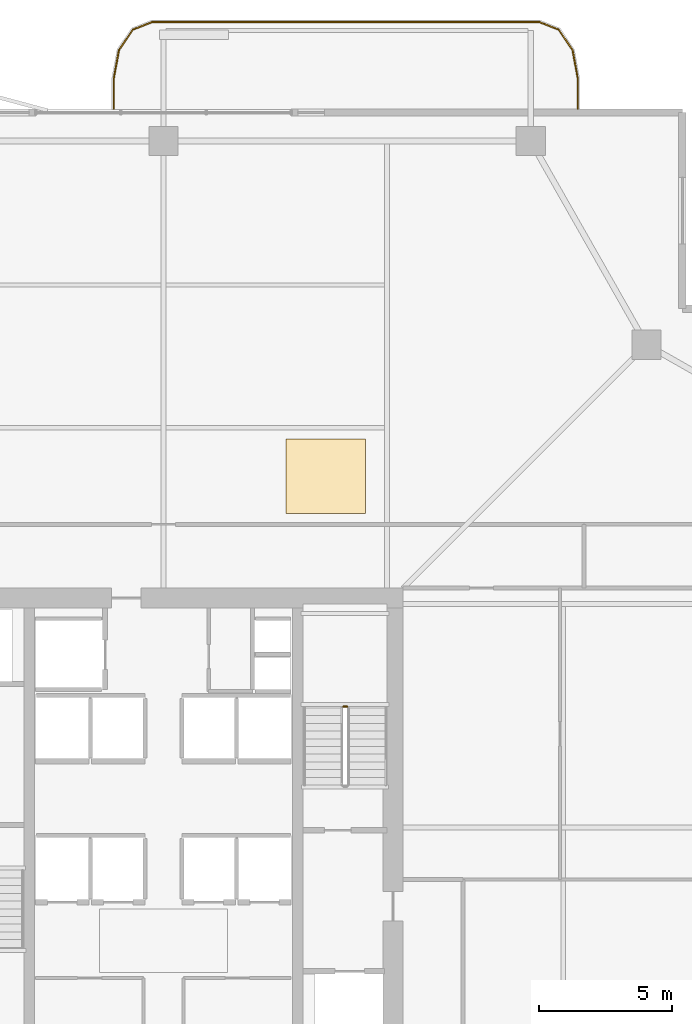
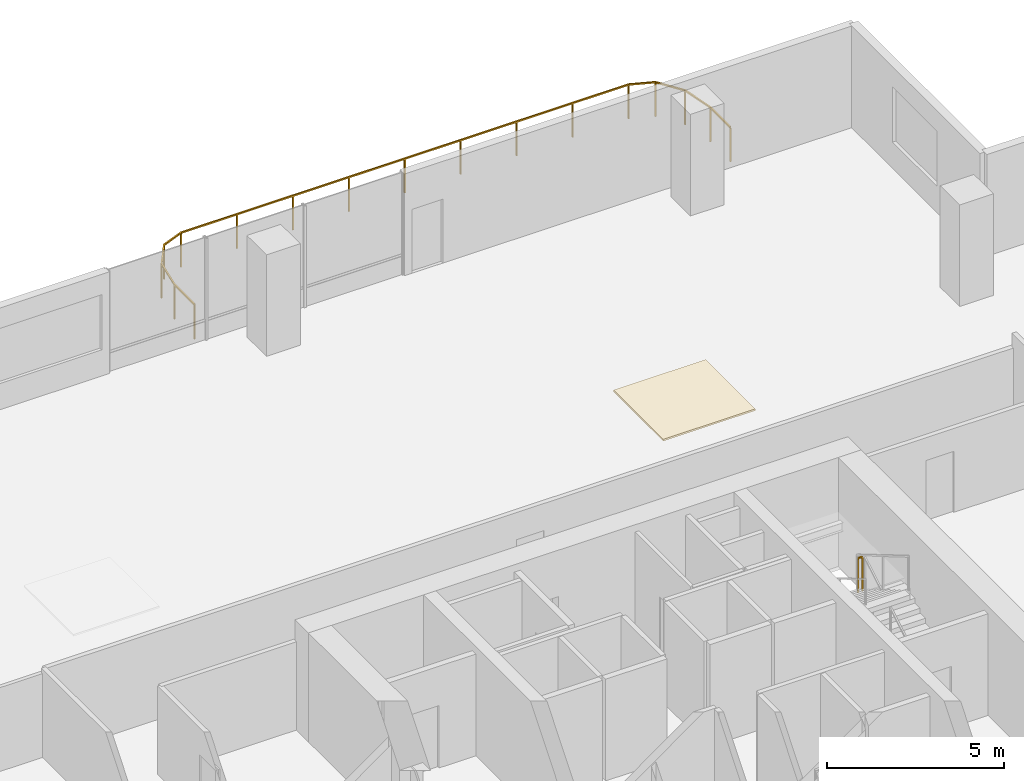
# One storey, part 23 of 23: 2 railings, 1 covering.
"""IFC4 building model written with IfcOpenShell, lengths in metres."""

from ifc_helpers import new_model, si_unit, direction, frame, origin, origin_2d, place, context, subcontext, project, spatial, polyline, rectangle, outline, extrude, material, layer, layer_set, type_object, element, save


model = new_model("IFC4")

# Units and contexts
model_context = context("Model", 3, precision=1e-05, world=origin(), true_north=direction((0.0, 1.0)))
body_context = subcontext(model_context, "Body", "Model", "MODEL_VIEW")
ifc_project = project(units=[si_unit("LENGTHUNIT", "METRE"), si_unit("AREAUNIT", "SQUARE_METRE"), si_unit("VOLUMEUNIT", "CUBIC_METRE"), si_unit("PLANEANGLEUNIT", "RADIAN"), si_unit("MASSUNIT", "GRAM", prefix="KILO")], contexts=[model_context])

# Site, building, storey
site_placement = place(None, origin())
site = spatial("IfcSite", under=ifc_project, at=site_placement, CompositionType="ELEMENT")
building_placement = place(site_placement, origin())
building = spatial("IfcBuilding", under=site, at=building_placement, Name="Belovzor Exchange Tower", CompositionType="ELEMENT")
storey_placement = place(building_placement, frame((0.0, 0.0, 229.949951171875)))
storey = spatial("IfcBuildingStorey", under=building, at=storey_placement, Name="L57", CompositionType="ELEMENT", Elevation=229.949951171875)

# Railings
ifc_material_1 = material(Name="Stainless Steel and Laminated Safety Glass", Category="steel")
railing_type_1 = type_object("IfcRailingType", Name="Laminated Glass & Stainless Steel Balcony Balustrade 1200", PredefinedType="BALUSTRADE", material=ifc_material_1)
railing_1_placement = place(storey_placement, frame((44.3701171875, 55.81005859375, 0.0)))
element("IfcRailing", 1, at=railing_1_placement, inside=storey, type_object=railing_type_1, Name="GR-1 Balcony Balustrade L57 North", PredefinedType="BALUSTRADE", context=body_context, shape_type="SweptSolid", body=[
    extrude(rectangle(XDim=0.048095703125, YDim=0.048095703125, at=origin_2d()), frame((0.0, 0.0, 1.17578125), z_axis=(0.0, 1.0, 0.0), x_axis=(-1.0, 0.0, 0.0)), (0.0, 0.0, 1.0), 1.133056640625),
    extrude(rectangle(XDim=0.048095703125, YDim=0.048095703125, at=origin_2d()), frame((0.0, 1.133056640625, 1.17578125), z_axis=(-0.180122719713, 0.983644145941, 0.0), x_axis=(-0.983644145941, -0.180122719713, 0.0)), (0.0, 0.0, 1.0), 1.09375),
    extrude(rectangle(XDim=0.048095703125, YDim=0.048095703125, at=origin_2d()), frame((-0.197021484375, 2.208984375, 1.17578125), z_axis=(-0.56294695933, 0.826493025367, 0.0), x_axis=(-0.826493025367, -0.56294695933, 0.0)), (0.0, 0.0, 1.0), 0.932861328125),
    extrude(rectangle(XDim=0.048095703125, YDim=0.048095703125, at=origin_2d()), frame((-0.72216796875, 2.97998046875, 1.17578125), z_axis=(-0.930766990125, 0.365612923861, 0.0), x_axis=(-0.365612923861, -0.930766990125, 0.0)), (0.0, 0.0, 1.0), 0.765869140625),
    extrude(rectangle(XDim=0.048095703125, YDim=0.048095703125, at=origin_2d()), frame((-1.43505859375, 3.260009765625, 1.17578125), z_axis=(-1.0, 0.0, 0.0), x_axis=(0.0, -1.0, 0.0)), (0.0, 0.0, 1.0), 14.570068359375),
    extrude(rectangle(XDim=0.048095703125, YDim=0.048095703125, at=origin_2d()), frame((-16.005126953125, 3.260009765625, 1.17578125), z_axis=(-0.930766990125, -0.365612923861, 0.0), x_axis=(0.365612923861, -0.930766990125, 0.0)), (0.0, 0.0, 1.0), 0.765869140625),
    extrude(rectangle(XDim=0.048095703125, YDim=0.048095703125, at=origin_2d()), frame((-16.718017578125, 2.97998046875, 1.17578125), z_axis=(-0.56294695933, -0.826493025367, 0.0), x_axis=(0.826493025367, -0.56294695933, 0.0)), (0.0, 0.0, 1.0), 0.932861328125),
    extrude(rectangle(XDim=0.048095703125, YDim=0.048095703125, at=origin_2d()), frame((-17.2431640625, 2.208984375, 1.17578125), z_axis=(-0.180122719713, -0.983644145941, 0.0), x_axis=(0.983644145941, -0.180122719713, 0.0)), (0.0, 0.0, 1.0), 1.09375),
    extrude(rectangle(XDim=0.048095703125, YDim=0.048095703125, at=origin_2d()), frame((-17.440185546875, 1.133056640625, 1.17578125), z_axis=(0.0, -1.0, 0.0), x_axis=(1.0, 0.0, 0.0)), (0.0, 0.0, 1.0), 1.133056640625),
    extrude(rectangle(XDim=0.0419921875, YDim=0.0419921875, at=origin_2d()), origin(), (0.0, 0.0, 1.0), 1.15185546875),
    extrude(rectangle(XDim=0.0419921875, YDim=0.0419921875, at=origin_2d()), frame((0.0, 1.133056640625, 0.0)), (0.0, 0.0, 1.0), 1.15185546875),
    extrude(rectangle(XDim=0.0419921875, YDim=0.0419921875, at=origin_2d()), frame((-0.197021484375, 2.208984375, 0.0)), (0.0, 0.0, 1.0), 1.15185546875),
    extrude(rectangle(XDim=0.0419921875, YDim=0.0419921875, at=origin_2d()), frame((-0.72216796875, 2.97998046875, 0.0)), (0.0, 0.0, 1.0), 1.15185546875),
    extrude(rectangle(XDim=0.0419921875, YDim=0.0419921875, at=origin_2d()), frame((-1.43505859375, 3.260009765625, 0.0)), (0.0, 0.0, 1.0), 1.15185546875),
    extrude(rectangle(XDim=0.0419921875, YDim=0.0419921875, at=origin_2d()), frame((-3.25634765625, 3.260009765625, 0.0)), (0.0, 0.0, 1.0), 1.15185546875),
    extrude(rectangle(XDim=0.0419921875, YDim=0.0419921875, at=origin_2d()), frame((-5.07763671875, 3.260009765625, 0.0)), (0.0, 0.0, 1.0), 1.15185546875),
    extrude(rectangle(XDim=0.0419921875, YDim=0.0419921875, at=origin_2d()), frame((-6.89892578125, 3.260009765625, 0.0)), (0.0, 0.0, 1.0), 1.15185546875),
    extrude(rectangle(XDim=0.0419921875, YDim=0.0419921875, at=origin_2d()), frame((-8.72021484375, 3.260009765625, 0.0)), (0.0, 0.0, 1.0), 1.15185546875),
    extrude(rectangle(XDim=0.0419921875, YDim=0.0419921875, at=origin_2d()), frame((-10.541259765625, 3.260009765625, 0.0)), (0.0, 0.0, 1.0), 1.15185546875),
    extrude(rectangle(XDim=0.0419921875, YDim=0.0419921875, at=origin_2d()), frame((-12.362548828125, 3.260009765625, 0.0)), (0.0, 0.0, 1.0), 1.15185546875),
    extrude(rectangle(XDim=0.0419921875, YDim=0.0419921875, at=origin_2d()), frame((-14.183837890625, 3.260009765625, 0.0)), (0.0, 0.0, 1.0), 1.15185546875),
    extrude(rectangle(XDim=0.0419921875, YDim=0.0419921875, at=origin_2d()), frame((-16.005126953125, 3.260009765625, 0.0)), (0.0, 0.0, 1.0), 1.15185546875),
    extrude(rectangle(XDim=0.0419921875, YDim=0.0419921875, at=origin_2d()), frame((-16.718017578125, 2.97998046875, 0.0)), (0.0, 0.0, 1.0), 1.15185546875),
    extrude(rectangle(XDim=0.0419921875, YDim=0.0419921875, at=origin_2d()), frame((-17.2431640625, 2.208984375, 0.0)), (0.0, 0.0, 1.0), 1.15185546875),
    extrude(rectangle(XDim=0.0419921875, YDim=0.0419921875, at=origin_2d()), frame((-17.440185546875, 1.133056640625, 0.0)), (0.0, 0.0, 1.0), 1.15185546875),
    extrude(rectangle(XDim=0.0419921875, YDim=0.0419921875, at=origin_2d()), frame((-17.440185546875, 0.0, 0.0)), (0.0, 0.0, 1.0), 1.15185546875),
])
ifc_material_2 = material(Name="Steel S355", Category="steel")
railing_type_2 = type_object("IfcRailingType", Name="Painted Steel Stairwell Guardrail 1200", PredefinedType="GUARDRAIL", material=ifc_material_2)
railing_2_placement = place(storey_placement, frame((35.699951171875, 33.35009765625, 1.875)))
element("IfcRailing", 2, at=railing_2_placement, inside=storey, type_object=railing_type_2, Name="L57 ST-2 stair guard 2", PredefinedType="GUARDRAIL", context=body_context, shape_type="SweptSolid", body=[
    extrude(rectangle(XDim=0.048095703125, YDim=0.048095703125, at=origin_2d()), frame((0.0, 0.0, 1.17578125), z_axis=(-1.0, 0.0, 0.0), x_axis=(0.0, -1.0, 0.0)), (0.0, 0.0, 1.0), 0.14990234375),
    extrude(rectangle(XDim=0.0419921875, YDim=0.0419921875, at=origin_2d()), origin(), (0.0, 0.0, 1.0), 1.15185546875),
    extrude(rectangle(XDim=0.0419921875, YDim=0.0419921875, at=origin_2d()), frame((-0.14990234375, 0.0, 0.0)), (0.0, 0.0, 1.0), 1.15185546875),
])

# Covering
ifc_material_3 = material(Name="Perforated Powder-Coated Aluminium", Category="aluminium")
ifc_layer = layer(ifc_material_3, 0.06005859375)
ifc_layer_set = layer_set([ifc_layer], Name="Perforated Powder-Coated Aluminium")
covering_type = type_object("IfcCoveringType", Name="Perforated Acoustic Metal Tile Suspended Ceiling 60", PredefinedType="CEILING", material=ifc_layer_set)
covering_placement = place(storey_placement, frame((0.0, 0.0, 3.43994140625)))
element("IfcCovering", 3, at=covering_placement, inside=storey, type_object=covering_type, Name="CLG-AC60 Suspended Ceiling CLG-L57-Z2", PredefinedType="CEILING", context=body_context, shape_type="SweptSolid", body=[
    extrude(outline(polyline([(33.39990234375, 40.60009765625), (36.39990234375, 40.60009765625), (36.39990234375, 43.39990234375), (33.39990234375, 43.39990234375), (33.39990234375, 40.60009765625)])), origin(), (0.0, 0.0, 1.0), 0.06005859375),
])

save(model, "model.ifc")
